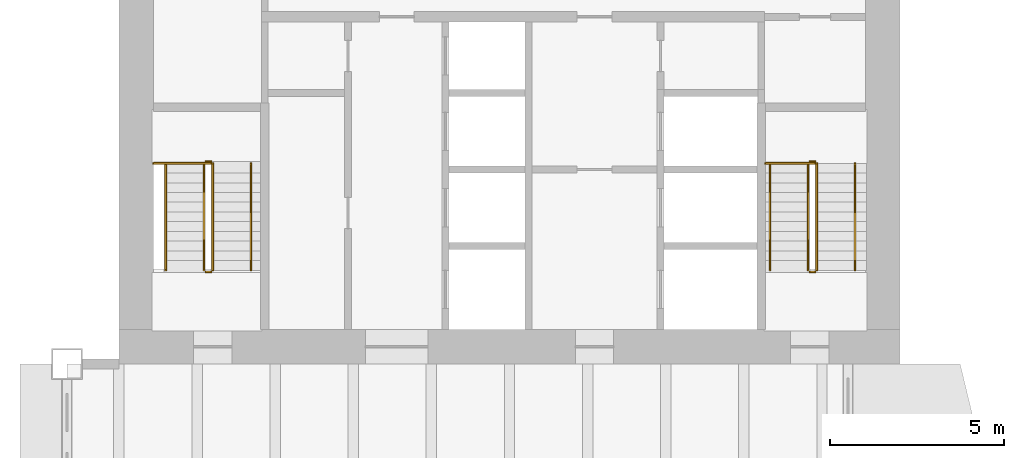
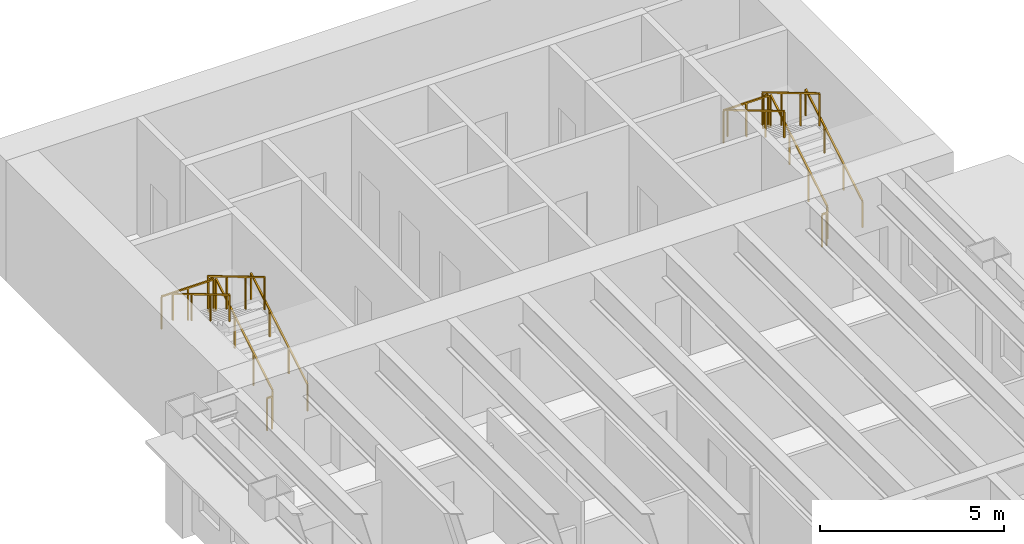
# One storey, part 13 of 13: 14 railings.
"""IFC4 building model written with IfcOpenShell, lengths in metres."""

import ifcopenshell
import ifcopenshell.guid

model = None  # the IFC model being written
_history = None  # IfcOwnerHistory: only IFC2X3 demands one
_inside = {}  # id of a spatial element -> (the spatial element, [elements in it])
_under = {}  # id of a project, library or spatial element -> (it, [spatial elements below it])
_declared = {}  # id of a project -> (the project, [libraries it declares])
_typed = {}  # id of a type object -> (the type object, [elements of that type])
_made_of = {}  # id of a material, layer set ... -> (it, [elements and type objects made of it])


def new_model(schema):
    """Start an empty IFC model of exactly this schema.

    Asked for "IFC4X3", IfcOpenShell would pick the latest addendum, in which some entities
    have other attributes; the version numbers below select the first issue.
    IFC2X3 requires an IfcOwnerHistory on every rooted entity: one is made here for all.
    """
    global model, _history
    if schema == "IFC4X3":
        model = ifcopenshell.file(schema_version=(4, 3, 0, 0))
    else:
        model = ifcopenshell.file(schema=schema)
    _inside.clear()
    _under.clear()
    _declared.clear()
    _typed.clear()
    _made_of.clear()
    _history = None
    if model.schema == "IFC2X3":
        org = make("IfcOrganization", Name="unknown")
        user = make(
            "IfcPersonAndOrganization",
            ThePerson=make("IfcPerson", FamilyName="unknown"),
            TheOrganization=org,
        )
        app = make(
            "IfcApplication",
            ApplicationDeveloper=org,
            Version="unknown",
            ApplicationFullName="unknown",
            ApplicationIdentifier="unknown",
        )
        _history = make(
            "IfcOwnerHistory",
            OwningUser=user,
            OwningApplication=app,
            ChangeAction="ADDED",
            CreationDate=0,
        )
    return model


def make(cls, **values):
    """One entity of the class cls with the attributes given. An attribute that is None is left unset."""
    return model.create_entity(
        cls, **{name: value for name, value in values.items() if value is not None}
    )


def rooted(cls, **values):
    """An entity with a GlobalId (a new one), such as an element, a storey or a relation."""
    return make(cls, GlobalId=ifcopenshell.guid.new(), OwnerHistory=_history, **values)


def si_unit(unit_type, name, prefix=None):
    """IfcSIUnit, for example si_unit("LENGTHUNIT", "METRE", prefix="MILLI")."""
    return make("IfcSIUnit", UnitType=unit_type, Prefix=prefix, Name=name)


def assignment(units):
    """IfcUnitAssignment: the units of a project."""
    return None if units is None else make("IfcUnitAssignment", Units=units)


def point(xyz):
    """IfcCartesianPoint."""
    return None if xyz is None else make("IfcCartesianPoint", Coordinates=xyz)


def direction(xyz):
    """IfcDirection."""
    return None if xyz is None else make("IfcDirection", DirectionRatios=xyz)


def frame(location, z_axis=None, x_axis=None):
    """IfcAxis2Placement3D, a coordinate frame: its origin and axes. An axis left out is left unset."""
    return make(
        "IfcAxis2Placement3D",
        Location=point(location),
        Axis=direction(z_axis),
        RefDirection=direction(x_axis),
    )


def frame_2d(location, x_axis=None):
    """IfcAxis2Placement2D, a coordinate frame in the plane: its origin and x axis."""
    return make(
        "IfcAxis2Placement2D", Location=point(location), RefDirection=direction(x_axis)
    )


def origin():
    """The frame at (0, 0, 0) with its axes left unset."""
    return frame((0.0, 0.0, 0.0))


def origin_2d():
    """The frame at (0, 0) in the plane with its x axis left unset."""
    return frame_2d((0.0, 0.0))


def place(relative_to, where):
    """IfcLocalPlacement: puts the frame where relative to a parent placement (None: the world)."""
    return make(
        "IfcLocalPlacement", PlacementRelTo=relative_to, RelativePlacement=where
    )


def context(
    kind, dimensions, precision=None, world=None, true_north=None, identifier=None
):
    """IfcGeometricRepresentationContext, for example the 3D "Model" context."""
    return make(
        "IfcGeometricRepresentationContext",
        ContextIdentifier=identifier,
        ContextType=kind,
        CoordinateSpaceDimension=dimensions,
        Precision=precision,
        WorldCoordinateSystem=world,
        TrueNorth=true_north,
    )


def subcontext(parent, identifier, kind, view, scale=None):
    """IfcGeometricRepresentationSubContext, for example "Body" below "Model"."""
    return make(
        "IfcGeometricRepresentationSubContext",
        ContextIdentifier=identifier,
        ContextType=kind,
        ParentContext=parent,
        TargetScale=scale,
        TargetView=view,
    )


def project(units=None, contexts=None):
    """IfcProject with its units and contexts."""
    return rooted(
        "IfcProject",
        Name="project",
        RepresentationContexts=contexts,
        UnitsInContext=assignment(units),
    )


def spatial(cls, under=None, at=None, **own):
    """A site, building, storey or space (cls), placed at a placement, below another one or the project."""
    s = rooted(cls, ObjectPlacement=at, **own)
    if under is not None:
        _under.setdefault(under.id(), (under, []))[1].append(s)
    return s


def profile(cls, at=None, kind="AREA", **sizes):
    """A parametric profile (cls). Its sizes go by their IFC names, for example OverallWidth=200.0."""
    return make(cls, ProfileType=kind, Position=at, **sizes)


def rectangle(**sizes):
    """IfcRectangleProfileDef."""
    return profile("IfcRectangleProfileDef", **sizes)


def extrude(swept, where, along, depth):
    """IfcExtrudedAreaSolid: the profile swept, set in the frame where, extruded along a direction by depth."""
    return make(
        "IfcExtrudedAreaSolid",
        SweptArea=swept,
        Position=where,
        ExtrudedDirection=direction(along),
        Depth=depth,
    )


def shape(context_of_items, identifier, shape_type, items):
    """IfcShapeRepresentation: the items that make up one representation, for example the "Body"."""
    return make(
        "IfcShapeRepresentation",
        ContextOfItems=context_of_items,
        RepresentationIdentifier=identifier,
        RepresentationType=shape_type,
        Items=items,
    )


def material(Name=None, Category=None):
    """IfcMaterial."""
    return make("IfcMaterial", Name=Name, Category=Category)


def made_of(thing, what):
    """Note that an element or type object is made of a material, layer set ...; save() writes the relation."""
    if what is not None:
        _made_of.setdefault(what.id(), (what, []))[1].append(thing)
    return thing


def type_object(cls, material=None, **own):
    """A type object (cls), such as IfcWallType, which elements share."""
    return made_of(rooted(cls, **own), material)


def element(
    cls,
    number,
    at=None,
    inside=None,
    cuts=None,
    type_object=None,
    material=None,
    context=None,
    identifier="Body",
    shape_type=None,
    held_by="IfcProductDefinitionShape",
    body=None,
    shapes=None,
    **own,
):
    """One element of the class cls, such as IfcWall. Its Tag is "e" and its number.

    at: its placement. inside: the storey or other place that contains it. cuts: it is an
    opening in that element (IfcRelVoidsElement). A single representation is given by context,
    identifier, shape_type and body (its items); several are given by shapes. held_by: the class
    of the entity that holds the representations. save() writes the other relations.
    """
    e = rooted(cls, Tag="e%d" % number, ObjectPlacement=at, **own)
    if body is not None:
        shapes = [shape(context, identifier, shape_type, body)]
    if shapes is not None:
        e.Representation = make(held_by, Representations=shapes)
    if inside is not None:
        _inside.setdefault(inside.id(), (inside, []))[1].append(e)
    if cuts is not None:
        rooted(
            "IfcRelVoidsElement", RelatingBuildingElement=cuts, RelatedOpeningElement=e
        )
    if type_object is not None:
        _typed.setdefault(type_object.id(), (type_object, []))[1].append(e)
    return made_of(e, material)


def aggregate(whole, parts):
    """IfcRelAggregates: a whole, such as a stair, and the parts it consists of."""
    return rooted("IfcRelAggregates", RelatingObject=whole, RelatedObjects=parts)


def save(model, path):
    """Write the relations noted so far, then the file.

    IfcRelAggregates (storeys below a building ...), IfcRelContainedInSpatialStructure (elements
    in a storey), IfcRelDefinesByType, IfcRelAssociatesMaterial and IfcRelDeclares: one each for
    every whole, place, type object, material and project.
    """
    for whole, parts in _under.values():
        aggregate(whole, parts)
    for where, things in _inside.values():
        rooted(
            "IfcRelContainedInSpatialStructure",
            RelatedElements=things,
            RelatingStructure=where,
        )
    for kind, things in _typed.values():
        rooted("IfcRelDefinesByType", RelatedObjects=things, RelatingType=kind)
    for what, things in _made_of.values():
        rooted("IfcRelAssociatesMaterial", RelatedObjects=things, RelatingMaterial=what)
    for by, libraries in _declared.values():
        rooted("IfcRelDeclares", RelatingContext=by, RelatedDefinitions=libraries)
    model.write(path)


model = new_model("IFC4")

# Units and contexts
model_context = context("Model", 3, precision=1e-05, world=origin(), true_north=direction((0.0, 1.0)))
body_context = subcontext(model_context, "Body", "Model", "MODEL_VIEW")
ifc_project = project(units=[si_unit("LENGTHUNIT", "METRE"), si_unit("AREAUNIT", "SQUARE_METRE"), si_unit("VOLUMEUNIT", "CUBIC_METRE"), si_unit("PLANEANGLEUNIT", "RADIAN"), si_unit("MASSUNIT", "GRAM", prefix="KILO")], contexts=[model_context])

# Site, building, storey
site_placement = place(None, origin())
site = spatial("IfcSite", under=ifc_project, at=site_placement, CompositionType="ELEMENT")
building_placement = place(site_placement, origin())
building = spatial("IfcBuilding", under=site, at=building_placement, Name="Sennacour Bend Tower", CompositionType="ELEMENT")
storey_placement = place(building_placement, frame((0.0, 0.0, 143.0)))
storey = spatial("IfcBuildingStorey", under=building, at=storey_placement, Name="L32", CompositionType="ELEMENT", Elevation=143.0)

# Railings
ifc_material = material(Name="Stainless steel", Category="steel")
railing_type_1 = type_object("IfcRailingType", Name="RL-GUARD-1100", PredefinedType="GUARDRAIL", material=ifc_material)
railing_1_placement = place(storey_placement, frame((2.699951171875, 38.699951171875, 0.166748046875)))
element("IfcRailing", 1, at=railing_1_placement, inside=storey, type_object=railing_type_1, Name="L32 SB1 stair guard 1", PredefinedType="GUARDRAIL", context=body_context, shape_type="SweptSolid", body=[
    extrude(rectangle(XDim=0.048095703125, YDim=0.048095703125, at=origin_2d()), frame((0.0, 0.0, 1.076171875), z_axis=(0.0, 0.859308565015, 0.511457515432), x_axis=(-1.0, 0.0, 0.0)), (0.0, 0.0, 1.0), 3.58447265625),
    extrude(rectangle(XDim=0.0419921875, YDim=0.0419921875, at=origin_2d()), origin(), (0.0, 0.0, 1.0), 1.052001953125),
    extrude(rectangle(XDim=0.0419921875, YDim=0.0419921875, at=origin_2d()), frame((0.0, 1.026611328125, 0.611083984375)), (0.0, 0.0, 1.0), 1.052001953125),
    extrude(rectangle(XDim=0.0419921875, YDim=0.0419921875, at=origin_2d()), frame((0.0, 2.053466796875, 1.22216796875)), (0.0, 0.0, 1.0), 1.052001953125),
    extrude(rectangle(XDim=0.0419921875, YDim=0.0419921875, at=origin_2d()), frame((0.0, 3.080078125, 1.833251953125)), (0.0, 0.0, 1.0), 1.052001953125),
])
railing_2_placement = place(storey_placement, frame((2.64990234375, 41.830078125, 2.0)))
element("IfcRailing", 2, at=railing_2_placement, inside=storey, type_object=railing_type_1, Name="L32 SB1 stair guard 2", PredefinedType="GUARDRAIL", context=body_context, shape_type="SweptSolid", body=[
    extrude(rectangle(XDim=0.048095703125, YDim=0.048095703125, at=origin_2d()), frame((0.0, 0.0, 1.076171875), z_axis=(-1.0, 0.0, 0.0), x_axis=(0.0, -1.0, 0.0)), (0.0, 0.0, 1.0), 0.14990234375),
    extrude(rectangle(XDim=0.0419921875, YDim=0.0419921875, at=origin_2d()), origin(), (0.0, 0.0, 1.0), 1.052001953125),
    extrude(rectangle(XDim=0.0419921875, YDim=0.0419921875, at=origin_2d()), frame((-0.14990234375, 0.0, 0.0)), (0.0, 0.0, 1.0), 1.052001953125),
])
railing_3_placement = place(storey_placement, frame((2.449951171875, 41.780029296875, 2.166748046875)))
element("IfcRailing", 3, at=railing_3_placement, inside=storey, type_object=railing_type_1, Name="L32 SB1 stair guard 4", PredefinedType="GUARDRAIL", context=body_context, shape_type="SweptSolid", body=[
    extrude(rectangle(XDim=0.048095703125, YDim=0.048095703125, at=origin_2d()), frame((0.0, 0.0, 1.076171875), z_axis=(0.0, -0.859308565015, 0.511457515432), x_axis=(1.0, 0.0, 0.0)), (0.0, 0.0, 1.0), 3.58447265625),
    extrude(rectangle(XDim=0.0419921875, YDim=0.0419921875, at=origin_2d()), origin(), (0.0, 0.0, 1.0), 1.052001953125),
    extrude(rectangle(XDim=0.0419921875, YDim=0.0419921875, at=origin_2d()), frame((0.0, -1.026611328125, 0.611083984375)), (0.0, 0.0, 1.0), 1.052001953125),
    extrude(rectangle(XDim=0.0419921875, YDim=0.0419921875, at=origin_2d()), frame((0.0, -2.053466796875, 1.22216796875)), (0.0, 0.0, 1.0), 1.052001953125),
    extrude(rectangle(XDim=0.0419921875, YDim=0.0419921875, at=origin_2d()), frame((0.0, -3.080078125, 1.833251953125)), (0.0, 0.0, 1.0), 1.052001953125),
])
railing_4_placement = place(storey_placement, frame((2.64990234375, 38.64990234375, 0.0)))
element("IfcRailing", 4, at=railing_4_placement, inside=storey, type_object=railing_type_1, Name="L32 SB1 stair guard 5", PredefinedType="GUARDRAIL", context=body_context, shape_type="SweptSolid", body=[
    extrude(rectangle(XDim=0.048095703125, YDim=0.048095703125, at=origin_2d()), frame((0.0, 0.0, 1.076171875), z_axis=(-1.0, 0.0, 0.0), x_axis=(0.0, -1.0, 0.0)), (0.0, 0.0, 1.0), 0.14990234375),
    extrude(rectangle(XDim=0.0419921875, YDim=0.0419921875, at=origin_2d()), origin(), (0.0, 0.0, 1.0), 1.052001953125),
    extrude(rectangle(XDim=0.0419921875, YDim=0.0419921875, at=origin_2d()), frame((-0.14990234375, 0.0, 0.0)), (0.0, 0.0, 1.0), 1.052001953125),
])
railing_5_placement = place(storey_placement, frame((2.64990234375, 41.780029296875, 2.0)))
element("IfcRailing", 5, at=railing_5_placement, inside=storey, type_object=railing_type_1, Name="L32 SB1 landing edge guard 57", PredefinedType="GUARDRAIL", context=body_context, shape_type="SweptSolid", body=[
    extrude(rectangle(XDim=0.048095703125, YDim=0.048095703125, at=origin_2d()), frame((0.0, 0.0, 1.076171875), z_axis=(-1.0, 0.0, 0.0), x_axis=(0.0, -1.0, 0.0)), (0.0, 0.0, 1.0), 1.64990234375),
    extrude(rectangle(XDim=0.0419921875, YDim=0.0419921875, at=origin_2d()), origin(), (0.0, 0.0, 1.0), 1.052001953125),
    extrude(rectangle(XDim=0.0419921875, YDim=0.0419921875, at=origin_2d()), frame((-0.824951171875, 0.0, 0.0)), (0.0, 0.0, 1.0), 1.052001953125),
    extrude(rectangle(XDim=0.0419921875, YDim=0.0419921875, at=origin_2d()), frame((-1.64990234375, 0.0, 0.0)), (0.0, 0.0, 1.0), 1.052001953125),
])
railing_6_placement = place(storey_placement, frame((20.10009765625, 38.699951171875, 0.166748046875)))
element("IfcRailing", 6, at=railing_6_placement, inside=storey, type_object=railing_type_1, Name="L32 SB2 stair guard 1", PredefinedType="GUARDRAIL", context=body_context, shape_type="SweptSolid", body=[
    extrude(rectangle(XDim=0.048095703125, YDim=0.048095703125, at=origin_2d()), frame((0.0, 0.0, 1.076171875), z_axis=(0.0, 0.859308565015, 0.511457515432), x_axis=(-1.0, 0.0, 0.0)), (0.0, 0.0, 1.0), 3.58447265625),
    extrude(rectangle(XDim=0.0419921875, YDim=0.0419921875, at=origin_2d()), origin(), (0.0, 0.0, 1.0), 1.052001953125),
    extrude(rectangle(XDim=0.0419921875, YDim=0.0419921875, at=origin_2d()), frame((0.0, 1.026611328125, 0.611083984375)), (0.0, 0.0, 1.0), 1.052001953125),
    extrude(rectangle(XDim=0.0419921875, YDim=0.0419921875, at=origin_2d()), frame((0.0, 2.053466796875, 1.22216796875)), (0.0, 0.0, 1.0), 1.052001953125),
    extrude(rectangle(XDim=0.0419921875, YDim=0.0419921875, at=origin_2d()), frame((0.0, 3.080078125, 1.833251953125)), (0.0, 0.0, 1.0), 1.052001953125),
])
railing_7_placement = place(storey_placement, frame((20.050048828125, 41.830078125, 2.0)))
element("IfcRailing", 7, at=railing_7_placement, inside=storey, type_object=railing_type_1, Name="L32 SB2 stair guard 2", PredefinedType="GUARDRAIL", context=body_context, shape_type="SweptSolid", body=[
    extrude(rectangle(XDim=0.048095703125, YDim=0.048095703125, at=origin_2d()), frame((0.0, 0.0, 1.076171875), z_axis=(-1.0, 0.0, 0.0), x_axis=(0.0, -1.0, 0.0)), (0.0, 0.0, 1.0), 0.150146484375),
    extrude(rectangle(XDim=0.0419921875, YDim=0.0419921875, at=origin_2d()), origin(), (0.0, 0.0, 1.0), 1.052001953125),
    extrude(rectangle(XDim=0.0419921875, YDim=0.0419921875, at=origin_2d()), frame((-0.150146484375, 0.0, 0.0)), (0.0, 0.0, 1.0), 1.052001953125),
])
railing_8_placement = place(storey_placement, frame((19.85009765625, 41.780029296875, 2.166748046875)))
element("IfcRailing", 8, at=railing_8_placement, inside=storey, type_object=railing_type_1, Name="L32 SB2 stair guard 4", PredefinedType="GUARDRAIL", context=body_context, shape_type="SweptSolid", body=[
    extrude(rectangle(XDim=0.048095703125, YDim=0.048095703125, at=origin_2d()), frame((0.0, 0.0, 1.076171875), z_axis=(0.0, -0.859308565015, 0.511457515432), x_axis=(1.0, 0.0, 0.0)), (0.0, 0.0, 1.0), 3.58447265625),
    extrude(rectangle(XDim=0.0419921875, YDim=0.0419921875, at=origin_2d()), origin(), (0.0, 0.0, 1.0), 1.052001953125),
    extrude(rectangle(XDim=0.0419921875, YDim=0.0419921875, at=origin_2d()), frame((0.0, -1.026611328125, 0.611083984375)), (0.0, 0.0, 1.0), 1.052001953125),
    extrude(rectangle(XDim=0.0419921875, YDim=0.0419921875, at=origin_2d()), frame((0.0, -2.053466796875, 1.22216796875)), (0.0, 0.0, 1.0), 1.052001953125),
    extrude(rectangle(XDim=0.0419921875, YDim=0.0419921875, at=origin_2d()), frame((0.0, -3.080078125, 1.833251953125)), (0.0, 0.0, 1.0), 1.052001953125),
])
railing_9_placement = place(storey_placement, frame((20.050048828125, 38.64990234375, 0.0)))
element("IfcRailing", 9, at=railing_9_placement, inside=storey, type_object=railing_type_1, Name="L32 SB2 stair guard 5", PredefinedType="GUARDRAIL", context=body_context, shape_type="SweptSolid", body=[
    extrude(rectangle(XDim=0.048095703125, YDim=0.048095703125, at=origin_2d()), frame((0.0, 0.0, 1.076171875), z_axis=(-1.0, 0.0, 0.0), x_axis=(0.0, -1.0, 0.0)), (0.0, 0.0, 1.0), 0.150146484375),
    extrude(rectangle(XDim=0.0419921875, YDim=0.0419921875, at=origin_2d()), origin(), (0.0, 0.0, 1.0), 1.052001953125),
    extrude(rectangle(XDim=0.0419921875, YDim=0.0419921875, at=origin_2d()), frame((-0.150146484375, 0.0, 0.0)), (0.0, 0.0, 1.0), 1.052001953125),
])
railing_10_placement = place(storey_placement, frame((20.050048828125, 41.780029296875, 2.0)))
element("IfcRailing", 10, at=railing_10_placement, inside=storey, type_object=railing_type_1, Name="L32 SB2 landing edge guard 47", PredefinedType="GUARDRAIL", context=body_context, shape_type="SweptSolid", body=[
    extrude(rectangle(XDim=0.048095703125, YDim=0.048095703125, at=origin_2d()), frame((0.0, 0.0, 1.076171875), z_axis=(-1.0, 0.0, 0.0), x_axis=(0.0, -1.0, 0.0)), (0.0, 0.0, 1.0), 1.425048828125),
    extrude(rectangle(XDim=0.0419921875, YDim=0.0419921875, at=origin_2d()), origin(), (0.0, 0.0, 1.0), 1.052001953125),
    extrude(rectangle(XDim=0.0419921875, YDim=0.0419921875, at=origin_2d()), frame((-0.71240234375, 0.0, 0.0)), (0.0, 0.0, 1.0), 1.052001953125),
    extrude(rectangle(XDim=0.0419921875, YDim=0.0419921875, at=origin_2d()), frame((-1.425048828125, 0.0, 0.0)), (0.0, 0.0, 1.0), 1.052001953125),
])
railing_type_2 = type_object("IfcRailingType", Name="RL-HANDRAIL-900", PredefinedType="HANDRAIL", material=ifc_material)
railing_11_placement = place(storey_placement, frame((3.800048828125, 38.699951171875, 0.166748046875)))
element("IfcRailing", 11, at=railing_11_placement, inside=storey, type_object=railing_type_2, Name="L32 SB1 stair handrail 1", PredefinedType="HANDRAIL", context=body_context, shape_type="SweptSolid", body=[
    extrude(rectangle(XDim=0.048095703125, YDim=0.048095703125, at=origin_2d()), frame((0.0, 0.0, 0.8759765625), z_axis=(0.0, 0.859308565015, 0.511457515432), x_axis=(-1.0, 0.0, 0.0)), (0.0, 0.0, 1.0), 3.58447265625),
    extrude(rectangle(XDim=0.0419921875, YDim=0.0419921875, at=origin_2d()), origin(), (0.0, 0.0, 1.0), 0.851806640625),
    extrude(rectangle(XDim=0.0419921875, YDim=0.0419921875, at=origin_2d()), frame((0.0, 1.026611328125, 0.611083984375)), (0.0, 0.0, 1.0), 0.851806640625),
    extrude(rectangle(XDim=0.0419921875, YDim=0.0419921875, at=origin_2d()), frame((0.0, 2.053466796875, 1.22216796875)), (0.0, 0.0, 1.0), 0.851806640625),
    extrude(rectangle(XDim=0.0419921875, YDim=0.0419921875, at=origin_2d()), frame((0.0, 3.080078125, 1.833251953125)), (0.0, 0.0, 1.0), 0.851806640625),
])
railing_12_placement = place(storey_placement, frame((1.35009765625, 41.780029296875, 2.166748046875)))
element("IfcRailing", 12, at=railing_12_placement, inside=storey, type_object=railing_type_2, Name="L32 SB1 stair handrail 2", PredefinedType="HANDRAIL", context=body_context, shape_type="SweptSolid", body=[
    extrude(rectangle(XDim=0.048095703125, YDim=0.048095703125, at=origin_2d()), frame((0.0, 0.0, 0.8759765625), z_axis=(0.0, -0.859308565015, 0.511457515432), x_axis=(1.0, 0.0, 0.0)), (0.0, 0.0, 1.0), 3.58447265625),
    extrude(rectangle(XDim=0.0419921875, YDim=0.0419921875, at=origin_2d()), origin(), (0.0, 0.0, 1.0), 0.851806640625),
    extrude(rectangle(XDim=0.0419921875, YDim=0.0419921875, at=origin_2d()), frame((0.0, -1.026611328125, 0.611083984375)), (0.0, 0.0, 1.0), 0.851806640625),
    extrude(rectangle(XDim=0.0419921875, YDim=0.0419921875, at=origin_2d()), frame((0.0, -2.053466796875, 1.22216796875)), (0.0, 0.0, 1.0), 0.851806640625),
    extrude(rectangle(XDim=0.0419921875, YDim=0.0419921875, at=origin_2d()), frame((0.0, -3.080078125, 1.833251953125)), (0.0, 0.0, 1.0), 0.851806640625),
])
railing_13_placement = place(storey_placement, frame((21.199951171875, 38.699951171875, 0.166748046875)))
element("IfcRailing", 13, at=railing_13_placement, inside=storey, type_object=railing_type_2, Name="L32 SB2 stair handrail 1", PredefinedType="HANDRAIL", context=body_context, shape_type="SweptSolid", body=[
    extrude(rectangle(XDim=0.048095703125, YDim=0.048095703125, at=origin_2d()), frame((0.0, 0.0, 0.8759765625), z_axis=(0.0, 0.859308565015, 0.511457515432), x_axis=(-1.0, 0.0, 0.0)), (0.0, 0.0, 1.0), 3.58447265625),
    extrude(rectangle(XDim=0.0419921875, YDim=0.0419921875, at=origin_2d()), origin(), (0.0, 0.0, 1.0), 0.851806640625),
    extrude(rectangle(XDim=0.0419921875, YDim=0.0419921875, at=origin_2d()), frame((0.0, 1.026611328125, 0.611083984375)), (0.0, 0.0, 1.0), 0.851806640625),
    extrude(rectangle(XDim=0.0419921875, YDim=0.0419921875, at=origin_2d()), frame((0.0, 2.053466796875, 1.22216796875)), (0.0, 0.0, 1.0), 0.851806640625),
    extrude(rectangle(XDim=0.0419921875, YDim=0.0419921875, at=origin_2d()), frame((0.0, 3.080078125, 1.833251953125)), (0.0, 0.0, 1.0), 0.851806640625),
])
railing_14_placement = place(storey_placement, frame((18.75, 41.780029296875, 2.166748046875)))
element("IfcRailing", 14, at=railing_14_placement, inside=storey, type_object=railing_type_2, Name="L32 SB2 stair handrail 2", PredefinedType="HANDRAIL", context=body_context, shape_type="SweptSolid", body=[
    extrude(rectangle(XDim=0.048095703125, YDim=0.048095703125, at=origin_2d()), frame((0.0, 0.0, 0.8759765625), z_axis=(0.0, -0.859308565015, 0.511457515432), x_axis=(1.0, 0.0, 0.0)), (0.0, 0.0, 1.0), 3.58447265625),
    extrude(rectangle(XDim=0.0419921875, YDim=0.0419921875, at=origin_2d()), origin(), (0.0, 0.0, 1.0), 0.851806640625),
    extrude(rectangle(XDim=0.0419921875, YDim=0.0419921875, at=origin_2d()), frame((0.0, -1.026611328125, 0.611083984375)), (0.0, 0.0, 1.0), 0.851806640625),
    extrude(rectangle(XDim=0.0419921875, YDim=0.0419921875, at=origin_2d()), frame((0.0, -2.053466796875, 1.22216796875)), (0.0, 0.0, 1.0), 0.851806640625),
    extrude(rectangle(XDim=0.0419921875, YDim=0.0419921875, at=origin_2d()), frame((0.0, -3.080078125, 1.833251953125)), (0.0, 0.0, 1.0), 0.851806640625),
])

save(model, "model.ifc")
